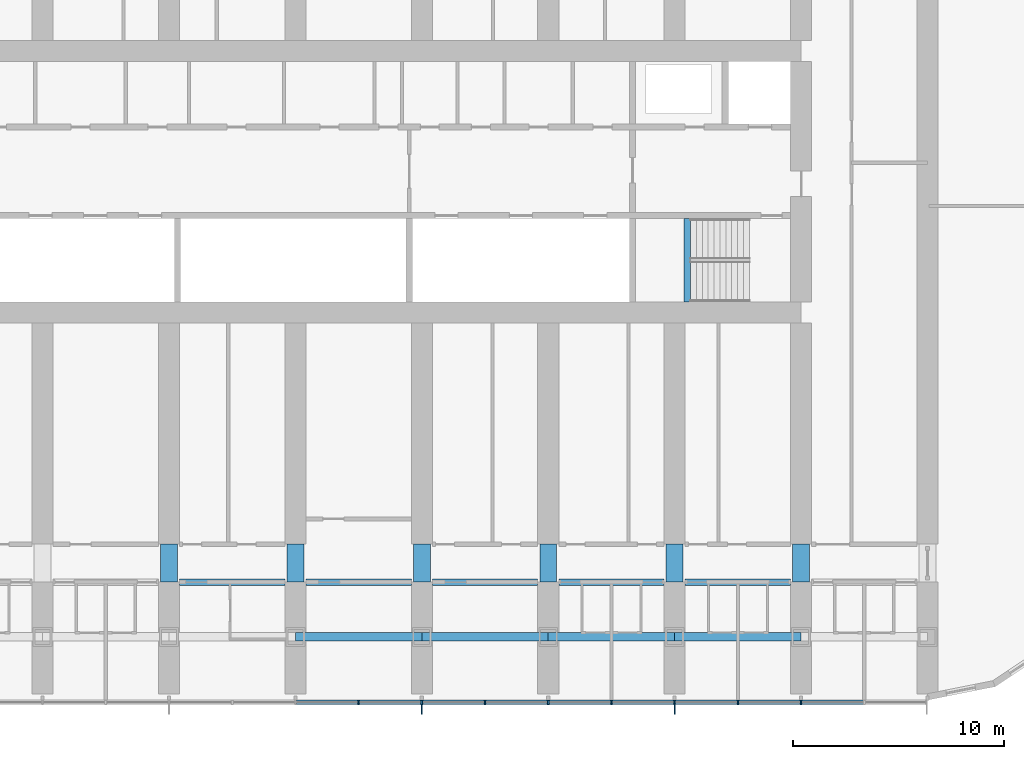
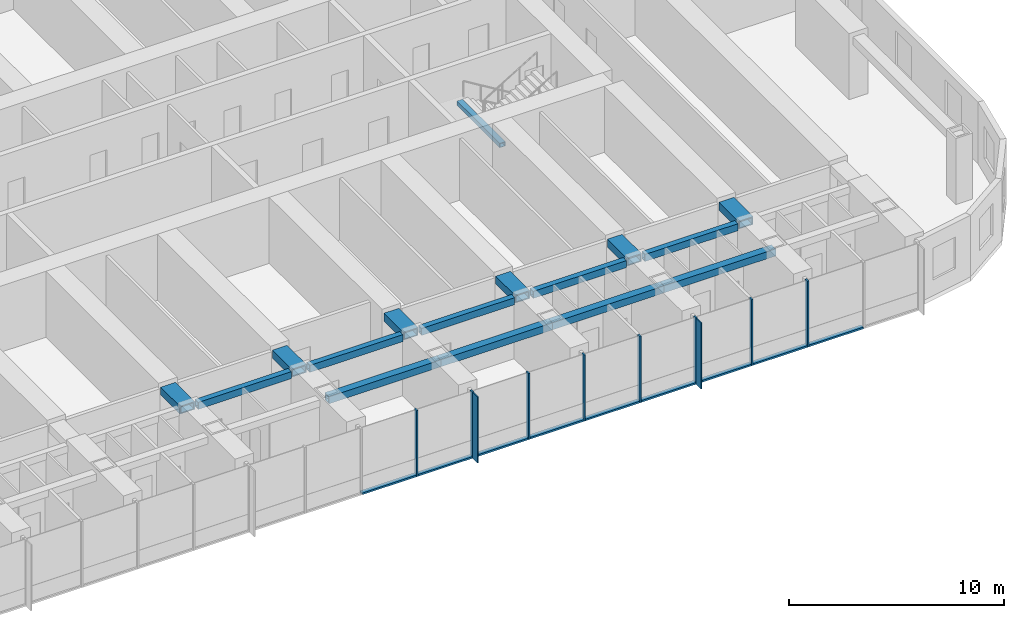
# One storey, part 3 of 25: 19 members, 16 beams, 1 element without a shape of its own.
"""IFC4 building model written with IfcOpenShell, lengths in metres."""

from ifc_helpers import new_model, si_unit, direction, frame, origin, origin_2d, place, context, subcontext, project, spatial, rectangle, hollow_rectangle, extrude, material, material_profile, profile_set, type_object, element, aggregate, save


model = new_model("IFC4")

# Units and contexts
model_context = context("Model", 3, precision=1e-05, world=origin(), true_north=direction((0.0, 1.0)))
body_context = subcontext(model_context, "Body", "Model", "MODEL_VIEW")
ifc_project = project(units=[si_unit("LENGTHUNIT", "METRE"), si_unit("AREAUNIT", "SQUARE_METRE"), si_unit("VOLUMEUNIT", "CUBIC_METRE"), si_unit("PLANEANGLEUNIT", "RADIAN"), si_unit("MASSUNIT", "GRAM", prefix="KILO")], contexts=[model_context])

# Site, building, storey
site_placement = place(None, origin())
site = spatial("IfcSite", under=ifc_project, at=site_placement, CompositionType="ELEMENT")
building_placement = place(site_placement, origin())
building = spatial("IfcBuilding", under=site, at=building_placement, Name="Orbita Commons", CompositionType="ELEMENT")
storey_placement = place(building_placement, frame((0.0, 0.0, 31.449951171875)))
storey = spatial("IfcBuildingStorey", under=building, at=storey_placement, Name="L07", CompositionType="ELEMENT", Elevation=31.449951171875)

# Curtain wall, members
ifc_material_1 = material(Name="Anodised aluminium frame, pale silver", Category="aluminium")
curtain_wall_type = type_object("IfcCurtainWallType", Name="Unitised curtain wall CW-T, vision and spandrel", PredefinedType="NOTDEFINED", material=ifc_material_1)
curtain_wall_placement = place(storey_placement, origin())
curtain_wall = element("IfcCurtainWall", 1, at=curtain_wall_placement, inside=storey, type_object=curtain_wall_type, Name="Curtain wall south L07", PredefinedType="NOTDEFINED")
ifc_material_2 = material(Name="Anodised aluminium, pale silver", Category="aluminium")
ifc_material_profile_1 = material_profile(ifc_material_2, rectangle(XDim=0.080078125, YDim=0.219970703125, at=origin_2d()), Name="AL 80x220")
ifc_profile_set_1 = profile_set([ifc_material_profile_1], Name="Anodised aluminium, pale silver")
member_type_1 = type_object("IfcMemberType", Name="Curtain wall mullion 80x220", PredefinedType="MULLION", material=ifc_profile_set_1)
member_1_placement = place(storey_placement, frame((45.0, 7.2900390625, -0.25), z_axis=(0.0, 0.0, 1.0), x_axis=(1.0, 0.0, 0.0)))
member_1 = element("IfcMember", 2, at=member_1_placement, type_object=member_type_1, Name="Mullion 12 CW-L07-S", PredefinedType="MULLION", context=body_context, shape_type="SweptSolid", body=[
    extrude(rectangle(XDim=0.080078125, YDim=0.219970703125, at=origin_2d()), origin(), (0.0, 0.0, 1.0), 3.75),
])
member_2_placement = place(storey_placement, frame((48.0, 7.2900390625, -0.25), z_axis=(0.0, 0.0, 1.0), x_axis=(1.0, 0.0, 0.0)))
member_2 = element("IfcMember", 3, at=member_2_placement, type_object=member_type_1, Name="Mullion 13 CW-L07-S", PredefinedType="MULLION", context=body_context, shape_type="SweptSolid", body=[
    extrude(rectangle(XDim=0.080078125, YDim=0.219970703125, at=origin_2d()), origin(), (0.0, 0.0, 1.0), 3.75),
])
member_3_placement = place(storey_placement, frame((51.0, 7.2900390625, -0.25), z_axis=(0.0, 0.0, 1.0), x_axis=(1.0, 0.0, 0.0)))
member_3 = element("IfcMember", 4, at=member_3_placement, type_object=member_type_1, Name="Mullion 14 CW-L07-S", PredefinedType="MULLION", context=body_context, shape_type="SweptSolid", body=[
    extrude(rectangle(XDim=0.080078125, YDim=0.219970703125, at=origin_2d()), origin(), (0.0, 0.0, 1.0), 3.75),
])
member_4_placement = place(storey_placement, frame((54.0, 7.2900390625, -0.25), z_axis=(0.0, 0.0, 1.0), x_axis=(1.0, 0.0, 0.0)))
member_4 = element("IfcMember", 5, at=member_4_placement, type_object=member_type_1, Name="Mullion 15 CW-L07-S", PredefinedType="MULLION", context=body_context, shape_type="SweptSolid", body=[
    extrude(rectangle(XDim=0.080078125, YDim=0.219970703125, at=origin_2d()), origin(), (0.0, 0.0, 1.0), 3.75),
])
member_5_placement = place(storey_placement, frame((57.0, 7.2900390625, -0.25), z_axis=(0.0, 0.0, 1.0), x_axis=(1.0, 0.0, 0.0)))
member_5 = element("IfcMember", 6, at=member_5_placement, type_object=member_type_1, Name="Mullion 16 CW-L07-S", PredefinedType="MULLION", context=body_context, shape_type="SweptSolid", body=[
    extrude(rectangle(XDim=0.080078125, YDim=0.219970703125, at=origin_2d()), origin(), (0.0, 0.0, 1.0), 3.75),
])
member_6_placement = place(storey_placement, frame((60.0, 7.2900390625, -0.25), z_axis=(0.0, 0.0, 1.0), x_axis=(1.0, 0.0, 0.0)))
member_6 = element("IfcMember", 7, at=member_6_placement, type_object=member_type_1, Name="Mullion 17 CW-L07-S", PredefinedType="MULLION", context=body_context, shape_type="SweptSolid", body=[
    extrude(rectangle(XDim=0.080078125, YDim=0.219970703125, at=origin_2d()), origin(), (0.0, 0.0, 1.0), 3.75),
])
member_7_placement = place(storey_placement, frame((63.0, 7.2900390625, -0.25), z_axis=(0.0, 0.0, 1.0), x_axis=(1.0, 0.0, 0.0)))
member_7 = element("IfcMember", 8, at=member_7_placement, type_object=member_type_1, Name="Mullion 18 CW-L07-S", PredefinedType="MULLION", context=body_context, shape_type="SweptSolid", body=[
    extrude(rectangle(XDim=0.080078125, YDim=0.219970703125, at=origin_2d()), origin(), (0.0, 0.0, 1.0), 3.75),
])
member_8_placement = place(storey_placement, frame((66.0, 7.2900390625, -0.25), z_axis=(0.0, 0.0, 1.0), x_axis=(1.0, 0.0, 0.0)))
member_8 = element("IfcMember", 9, at=member_8_placement, type_object=member_type_1, Name="Mullion 19 CW-L07-S", PredefinedType="MULLION", context=body_context, shape_type="SweptSolid", body=[
    extrude(rectangle(XDim=0.080078125, YDim=0.219970703125, at=origin_2d()), origin(), (0.0, 0.0, 1.0), 3.75),
])
ifc_material_3 = material(Name="Anodised aluminium, pale silver", Category="aluminium")
ifc_material_profile_2 = material_profile(ifc_material_3, rectangle(XDim=0.219970703125, YDim=0.10009765625, at=origin_2d()), Name="AL 220x100")
ifc_profile_set_2 = profile_set([ifc_material_profile_2], Name="Anodised aluminium, pale silver")
member_type_2 = type_object("IfcMemberType", Name="Curtain wall stack transom 220x100", PredefinedType="USERDEFINED", material=ifc_profile_set_2)
member_9_placement = place(storey_placement, frame((42.0400390625, 7.2900390625, -0.199951171875), z_axis=(1.0, 0.0, 0.0), x_axis=(0.0, 1.0, 0.0)))
member_9 = element("IfcMember", 10, at=member_9_placement, type_object=member_type_2, Name="Transom 11.1 CW-L07-S", ObjectType="TRANSOM", PredefinedType="USERDEFINED", context=body_context, shape_type="SweptSolid", body=[
    extrude(rectangle(XDim=0.219970703125, YDim=0.10009765625, at=origin_2d()), origin(), (0.0, 0.0, 1.0), 2.919921875),
])
member_10_placement = place(storey_placement, frame((45.0400390625, 7.2900390625, -0.199951171875), z_axis=(1.0, 0.0, 0.0), x_axis=(0.0, 1.0, 0.0)))
member_10 = element("IfcMember", 11, at=member_10_placement, type_object=member_type_2, Name="Transom 12.1 CW-L07-S", ObjectType="TRANSOM", PredefinedType="USERDEFINED", context=body_context, shape_type="SweptSolid", body=[
    extrude(rectangle(XDim=0.219970703125, YDim=0.10009765625, at=origin_2d()), origin(), (0.0, 0.0, 1.0), 2.919921875),
])
member_11_placement = place(storey_placement, frame((48.0400390625, 7.2900390625, -0.199951171875), z_axis=(1.0, 0.0, 0.0), x_axis=(0.0, 1.0, 0.0)))
member_11 = element("IfcMember", 12, at=member_11_placement, type_object=member_type_2, Name="Transom 13.1 CW-L07-S", ObjectType="TRANSOM", PredefinedType="USERDEFINED", context=body_context, shape_type="SweptSolid", body=[
    extrude(rectangle(XDim=0.219970703125, YDim=0.10009765625, at=origin_2d()), origin(), (0.0, 0.0, 1.0), 2.919921875),
])
member_12_placement = place(storey_placement, frame((51.0400390625, 7.2900390625, -0.199951171875), z_axis=(1.0, 0.0, 0.0), x_axis=(0.0, 1.0, 0.0)))
member_12 = element("IfcMember", 13, at=member_12_placement, type_object=member_type_2, Name="Transom 14.1 CW-L07-S", ObjectType="TRANSOM", PredefinedType="USERDEFINED", context=body_context, shape_type="SweptSolid", body=[
    extrude(rectangle(XDim=0.219970703125, YDim=0.10009765625, at=origin_2d()), origin(), (0.0, 0.0, 1.0), 2.919921875),
])
member_13_placement = place(storey_placement, frame((54.0400390625, 7.2900390625, -0.199951171875), z_axis=(1.0, 0.0, 0.0), x_axis=(0.0, 1.0, 0.0)))
member_13 = element("IfcMember", 14, at=member_13_placement, type_object=member_type_2, Name="Transom 15.1 CW-L07-S", ObjectType="TRANSOM", PredefinedType="USERDEFINED", context=body_context, shape_type="SweptSolid", body=[
    extrude(rectangle(XDim=0.219970703125, YDim=0.10009765625, at=origin_2d()), origin(), (0.0, 0.0, 1.0), 2.919921875),
])
member_14_placement = place(storey_placement, frame((57.0400390625, 7.2900390625, -0.199951171875), z_axis=(1.0, 0.0, 0.0), x_axis=(0.0, 1.0, 0.0)))
member_14 = element("IfcMember", 15, at=member_14_placement, type_object=member_type_2, Name="Transom 16.1 CW-L07-S", ObjectType="TRANSOM", PredefinedType="USERDEFINED", context=body_context, shape_type="SweptSolid", body=[
    extrude(rectangle(XDim=0.219970703125, YDim=0.10009765625, at=origin_2d()), origin(), (0.0, 0.0, 1.0), 2.919921875),
])
member_15_placement = place(storey_placement, frame((60.0400390625, 7.2900390625, -0.199951171875), z_axis=(1.0, 0.0, 0.0), x_axis=(0.0, 1.0, 0.0)))
member_15 = element("IfcMember", 16, at=member_15_placement, type_object=member_type_2, Name="Transom 17.1 CW-L07-S", ObjectType="TRANSOM", PredefinedType="USERDEFINED", context=body_context, shape_type="SweptSolid", body=[
    extrude(rectangle(XDim=0.219970703125, YDim=0.10009765625, at=origin_2d()), origin(), (0.0, 0.0, 1.0), 2.919921875),
])
member_16_placement = place(storey_placement, frame((63.0400390625, 7.2900390625, -0.199951171875), z_axis=(1.0, 0.0, 0.0), x_axis=(0.0, 1.0, 0.0)))
member_16 = element("IfcMember", 17, at=member_16_placement, type_object=member_type_2, Name="Transom 18.1 CW-L07-S", ObjectType="TRANSOM", PredefinedType="USERDEFINED", context=body_context, shape_type="SweptSolid", body=[
    extrude(rectangle(XDim=0.219970703125, YDim=0.10009765625, at=origin_2d()), origin(), (0.0, 0.0, 1.0), 2.919921875),
])
member_17_placement = place(storey_placement, frame((66.0400390625, 7.2900390625, -0.199951171875), z_axis=(1.0, 0.0, 0.0), x_axis=(0.0, 1.0, 0.0)))
member_17 = element("IfcMember", 18, at=member_17_placement, type_object=member_type_2, Name="Transom 19.1 CW-L07-S", ObjectType="TRANSOM", PredefinedType="USERDEFINED", context=body_context, shape_type="SweptSolid", body=[
    extrude(rectangle(XDim=0.219970703125, YDim=0.10009765625, at=origin_2d()), origin(), (0.0, 0.0, 1.0), 2.919921875),
])

# Beams
ifc_material_4 = material(Name="Steel ASTM A572 Gr 50 welded plate", Category="steel")
ifc_material_profile_3 = material_profile(ifc_material_4, hollow_rectangle(XDim=0.300048828125, YDim=0.25, WallThickness=0.02490234375, at=origin_2d()), Name="BOX 250x300x25")
ifc_profile_set_3 = profile_set([ifc_material_profile_3], Name="Steel ASTM A572 Gr 50 welded plate")
beam_type_1 = type_object("IfcBeamType", Name="Stair landing beam steel BOX 250x300x25", PredefinedType="BEAM", material=ifc_profile_set_3)
beam_placement = place(storey_placement, frame((60.60009765625, 26.284912109375, 1.550048828125), z_axis=(0.0, 1.0, 0.0), x_axis=(-1.0, 0.0, 0.0)))
element("IfcBeam", 19, at=beam_placement, inside=storey, type_object=beam_type_1, Name="Stair S2 landing beam L07 1", PredefinedType="BEAM", context=body_context, shape_type="SweptSolid", body=[
    extrude(hollow_rectangle(XDim=0.300048828125, YDim=0.25, WallThickness=0.02490234375, at=origin_2d()), origin(), (0.0, 0.0, 1.0), 3.97998046875),
])
ifc_material_5 = material(Name="Steel ASTM A572 Gr 50 welded plate", Category="steel")
ifc_material_profile_4 = material_profile(ifc_material_5, hollow_rectangle(XDim=0.300048828125, YDim=0.39990234375, WallThickness=0.0400390625, at=origin_2d()), Name="BOX 400x300x40")
ifc_profile_set_4 = profile_set([ifc_material_profile_4], Name="Steel ASTM A572 Gr 50 welded plate")
beam_type_2 = type_object("IfcBeamType", Name="Steel corridor link BOX 400x300x40", PredefinedType="BEAM", material=ifc_profile_set_4)
for number, where, z_axis, x_axis, name in (
    (20, (36.5, 13.0, 3.300048828125), (1.0, 0.0, 0.0), (0.0, 1.0, 0.0), "Corridor beam SA 7-8 L07"),
    (21, (42.5, 13.0, 3.300048828125), (1.0, 0.0, 0.0), (0.0, 1.0, 0.0), "Corridor beam SA 8-9 L07"),
    (22, (48.5, 13.0, 3.300048828125), (1.0, 0.0, 0.0), (0.0, 1.0, 0.0), "Corridor beam SA 9-10 L07"),
    (23, (54.5, 13.0, 3.300048828125), (1.0, 0.0, 0.0), (0.0, 1.0, 0.0), "Corridor beam SA 10-11 L07"),
    (24, (60.5, 13.0, 3.300048828125), (1.0, 0.0, 0.0), (0.0, 1.0, 0.0), "Corridor beam SA 11-12 L07"),
):
    element("IfcBeam", number, at=place(storey_placement, frame(where, z_axis=z_axis, x_axis=x_axis)), inside=storey, type_object=beam_type_2, Name=name, PredefinedType="BEAM", context=body_context, shape_type="SweptSolid", body=[
        extrude(hollow_rectangle(XDim=0.300048828125, YDim=0.39990234375, WallThickness=0.0400390625, at=origin_2d()), origin(), (0.0, 0.0, 1.0), 5.0),
    ])
ifc_material_6 = material(Name="Steel ASTM A572 Gr 50 welded plate", Category="steel")
ifc_material_profile_5 = material_profile(ifc_material_6, hollow_rectangle(XDim=0.800048828125, YDim=0.449951171875, WallThickness=0.06005859375, at=origin_2d()), Name="BOX 450x800x60")
ifc_profile_set_5 = profile_set([ifc_material_profile_5], Name="Steel ASTM A572 Gr 50 welded plate")
beam_type_3 = type_object("IfcBeamType", Name="Steel coupling link BOX 450x800x60", PredefinedType="LINTEL", material=ifc_profile_set_5)
for number, where, z_axis, x_axis, name in (
    (25, (36.0, 13.0, 3.275146484375), (0.0, 1.0, 0.0), (-1.0, 0.0, 0.0), "Coupling beam 7 south L07"),
    (26, (42.0, 13.0, 3.275146484375), (0.0, 1.0, 0.0), (-1.0, 0.0, 0.0), "Coupling beam 8 south L07"),
    (27, (48.0, 13.0, 3.275146484375), (0.0, 1.0, 0.0), (-1.0, 0.0, 0.0), "Coupling beam 9 south L07"),
    (28, (54.0, 13.0, 3.275146484375), (0.0, 1.0, 0.0), (-1.0, 0.0, 0.0), "Coupling beam 10 south L07"),
    (29, (60.0, 13.0, 3.275146484375), (0.0, 1.0, 0.0), (-1.0, 0.0, 0.0), "Coupling beam 11 south L07"),
    (30, (66.0, 13.0, 3.275146484375), (0.0, 1.0, 0.0), (-1.0, 0.0, 0.0), "Coupling beam 12 south L07"),
):
    element("IfcBeam", number, at=place(storey_placement, frame(where, z_axis=z_axis, x_axis=x_axis)), inside=storey, type_object=beam_type_3, Name=name, PredefinedType="LINTEL", context=body_context, shape_type="SweptSolid", body=[
        extrude(hollow_rectangle(XDim=0.800048828125, YDim=0.449951171875, WallThickness=0.06005859375, at=origin_2d()), origin(), (0.0, 0.0, 1.0), 1.800048828125),
    ])
ifc_material_7 = material(Name="Steel ASTM A572 Gr 50 welded plate", Category="steel")
ifc_material_profile_6 = material_profile(ifc_material_7, hollow_rectangle(XDim=0.39990234375, YDim=0.39990234375, WallThickness=0.0400390625, at=origin_2d()), Name="BOX 400x400x40")
ifc_profile_set_6 = profile_set([ifc_material_profile_6], Name="Steel ASTM A572 Gr 50 welded plate")
beam_type_4 = type_object("IfcBeamType", Name="Steel spandrel BOX 400x400x40", PredefinedType="SPANDREL", material=ifc_profile_set_6)
for number, where, z_axis, x_axis, name in (
    (31, (42.0, 10.39990234375, 3.300048828125), (1.0, 0.0, 0.0), (0.0, 1.0, 0.0), "Spandrel beam B 8-9 L07"),
    (32, (48.0, 10.39990234375, 3.300048828125), (1.0, 0.0, 0.0), (0.0, 1.0, 0.0), "Spandrel beam B 9-10 L07"),
    (33, (54.0, 10.39990234375, 3.300048828125), (1.0, 0.0, 0.0), (0.0, 1.0, 0.0), "Spandrel beam B 10-11 L07"),
    (34, (60.0, 10.39990234375, 3.300048828125), (1.0, 0.0, 0.0), (0.0, 1.0, 0.0), "Spandrel beam B 11-12 L07"),
):
    element("IfcBeam", number, at=place(storey_placement, frame(where, z_axis=z_axis, x_axis=x_axis)), inside=storey, type_object=beam_type_4, Name=name, PredefinedType="SPANDREL", context=body_context, shape_type="SweptSolid", body=[
        extrude(hollow_rectangle(XDim=0.39990234375, YDim=0.39990234375, WallThickness=0.0400390625, at=origin_2d()), origin(), (0.0, 0.0, 1.0), 6.0),
    ])

# Member
ifc_material_8 = material(Name="Anodised aluminium, pale silver", Category="aluminium")
ifc_material_profile_7 = material_profile(ifc_material_8, rectangle(XDim=0.06005859375, YDim=0.449951171875, at=origin_2d()), Name="FIN 60x450")
ifc_profile_set_7 = profile_set([ifc_material_profile_7], Name="Anodised aluminium, pale silver")
member_type_3 = type_object("IfcMemberType", Name="Vertical fin 60x450 pale aluminium", PredefinedType="USERDEFINED", material=ifc_profile_set_7)
member_18_placement = place(storey_placement, frame((48.0, 6.955078125, -0.25), z_axis=(0.0, 0.0, 1.0), x_axis=(1.0, 0.0, 0.0)))
member_18 = element("IfcMember", 35, at=member_18_placement, type_object=member_type_3, Name="Fin 13 CW-L07-S", ObjectType="FIN", PredefinedType="USERDEFINED", context=body_context, shape_type="SweptSolid", body=[
    extrude(rectangle(XDim=0.06005859375, YDim=0.449951171875, at=origin_2d()), origin(), (0.0, 0.0, 1.0), 3.75),
])

member_19_placement = place(storey_placement, frame((60.0, 6.955078125, -0.25), z_axis=(0.0, 0.0, 1.0), x_axis=(1.0, 0.0, 0.0)))
member_19 = element("IfcMember", 36, at=member_19_placement, type_object=member_type_3, Name="Fin 17 CW-L07-S", ObjectType="FIN", PredefinedType="USERDEFINED", context=body_context, shape_type="SweptSolid", body=[
    extrude(rectangle(XDim=0.06005859375, YDim=0.449951171875, at=origin_2d()), origin(), (0.0, 0.0, 1.0), 3.75),
])

aggregate(curtain_wall, [member_1, member_2, member_18, member_3, member_4, member_5, member_6, member_19, member_7, member_8, member_9, member_10, member_11, member_12, member_13, member_14, member_15, member_16, member_17])

save(model, "model.ifc")
